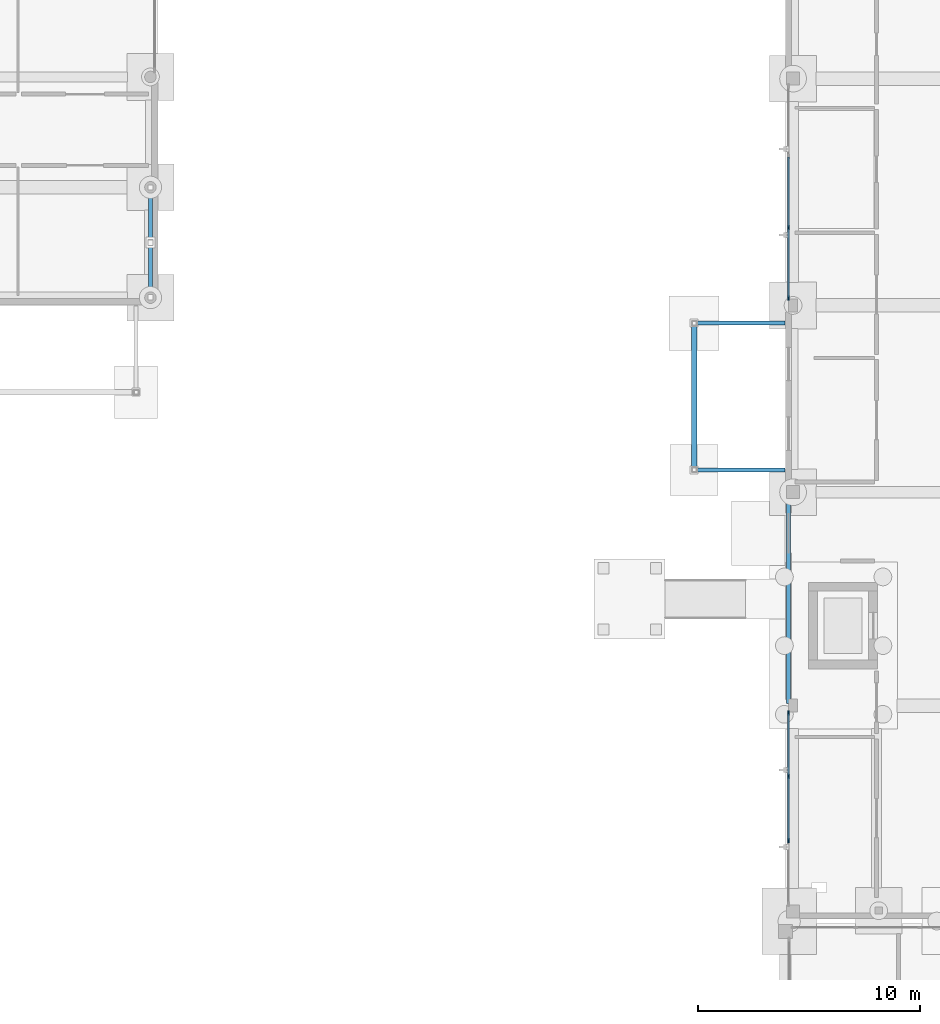
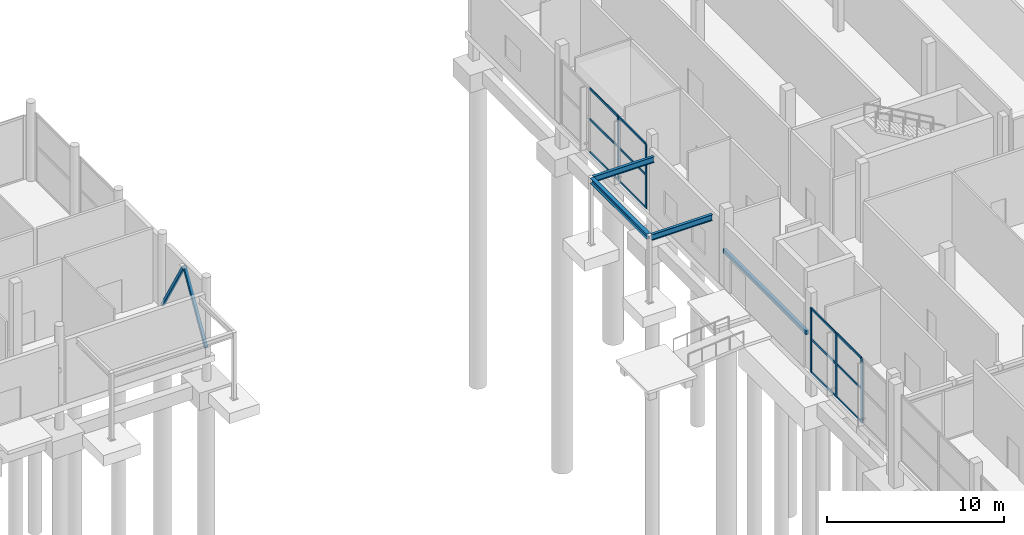
# One storey, part 37 of 88: 19 members, 4 beams, 2 elements without a shape of their own.
"""IFC4 building model written with IfcOpenShell, lengths in metres."""

from ifc_helpers import new_model, si_unit, direction, frame, origin, origin_2d, place, context, subcontext, project, spatial, rectangle, hollow_rectangle, i_section, extrude, material, layer, layer_set, material_profile, profile_set, type_object, element, aggregate, save


model = new_model("IFC4")

# Units and contexts
model_context = context("Model", 3, precision=1e-05, world=origin(), true_north=direction((0.0, 1.0)))
body_context = subcontext(model_context, "Body", "Model", "MODEL_VIEW")
ifc_project = project(units=[si_unit("LENGTHUNIT", "METRE"), si_unit("AREAUNIT", "SQUARE_METRE"), si_unit("VOLUMEUNIT", "CUBIC_METRE"), si_unit("PLANEANGLEUNIT", "RADIAN"), si_unit("MASSUNIT", "GRAM", prefix="KILO")], contexts=[model_context])

# Site, building, storey
site_placement = place(None, origin())
site = spatial("IfcSite", under=ifc_project, at=site_placement, CompositionType="ELEMENT")
building_placement = place(site_placement, origin())
building = spatial("IfcBuilding", under=site, at=building_placement, Name="Birchvale Park Specialist Clinic", CompositionType="ELEMENT")
storey_placement = place(building_placement, origin())
storey = spatial("IfcBuildingStorey", under=building, at=storey_placement, Name="L00", CompositionType="ELEMENT", Elevation=0.0)

# Curtain wall, members
ifc_material_1 = material(Name="Thermally broken anodised aluminium", Category="aluminium")
ifc_layer = layer(ifc_material_1, 0.2099609375)
ifc_layer_set = layer_set([ifc_layer], Name="Thermally broken anodised aluminium")
curtain_wall_type = type_object("IfcCurtainWallType", Name="CW-U3", PredefinedType="USERDEFINED", material=ifc_layer_set)
curtain_wall_1_placement = place(storey_placement, origin())
curtain_wall_1 = element("IfcCurtainWall", 1, at=curtain_wall_1_placement, inside=storey, type_object=curtain_wall_type, Name="V6 L00 glazed curtain wall 66", ObjectType="UNITISED", PredefinedType="USERDEFINED")
ifc_material_profile_1 = material_profile(ifc_material_1, rectangle(XDim=0.070068359375, YDim=0.199951171875, at=origin_2d()), Name="CWM-70x200")
ifc_profile_set_1 = profile_set([ifc_material_profile_1], Name="Thermally broken anodised aluminium")
member_type_1 = type_object("IfcMemberType", Name="CWM3", PredefinedType="MULLION", material=ifc_profile_set_1)
member_1_placement = place(storey_placement, frame((128.14501953125, 94.69677734375, 0.0), z_axis=(0.0, 0.0, 1.0), x_axis=(1.0, 0.0, 0.0)))
member_1 = element("IfcMember", 2, at=member_1_placement, type_object=member_type_1, Name="CW mullion 3", PredefinedType="MULLION", context=body_context, shape_type="SweptSolid", body=[
    extrude(rectangle(XDim=0.070068359375, YDim=0.199951171875, at=origin_2d()), origin(), (0.0, 0.0, 1.0), 4.445068359375),
])
member_2_placement = place(storey_placement, frame((128.14501953125, 91.52490234375, 0.0), z_axis=(0.0, 0.0, 1.0), x_axis=(1.0, 0.0, 0.0)))
member_2 = element("IfcMember", 3, at=member_2_placement, type_object=member_type_1, Name="CW mullion 4", PredefinedType="MULLION", context=body_context, shape_type="SweptSolid", body=[
    extrude(rectangle(XDim=0.070068359375, YDim=0.199951171875, at=origin_2d()), origin(), (0.0, 0.0, 1.0), 4.445068359375),
])

curtain_wall_2_placement = place(storey_placement, origin())
curtain_wall_2 = element("IfcCurtainWall", 4, at=curtain_wall_2_placement, inside=storey, type_object=curtain_wall_type, Name="V6 L00 glazed curtain wall 67", ObjectType="UNITISED", PredefinedType="USERDEFINED")
member_3_placement = place(storey_placement, frame((128.14501953125, 72.875, 0.0), z_axis=(0.0, 0.0, 1.0), x_axis=(1.0, 0.0, 0.0)))
member_3 = element("IfcMember", 5, at=member_3_placement, type_object=member_type_1, Name="CW mullion 1", PredefinedType="MULLION", context=body_context, shape_type="SweptSolid", body=[
    extrude(rectangle(XDim=0.070068359375, YDim=0.199951171875, at=origin_2d()), origin(), (0.0, 0.0, 1.0), 4.445068359375),
])
member_4_placement = place(storey_placement, frame((128.14501953125, 70.02001953125, 0.0), z_axis=(0.0, 0.0, 1.0), x_axis=(1.0, 0.0, 0.0)))
member_4 = element("IfcMember", 6, at=member_4_placement, type_object=member_type_1, Name="CW mullion 2", PredefinedType="MULLION", context=body_context, shape_type="SweptSolid", body=[
    extrude(rectangle(XDim=0.070068359375, YDim=0.199951171875, at=origin_2d()), origin(), (0.0, 0.0, 1.0), 4.445068359375),
])
member_5_placement = place(storey_placement, frame((128.14501953125, 67.1298828125, 0.0), z_axis=(0.0, 0.0, 1.0), x_axis=(1.0, 0.0, 0.0)))
member_5 = element("IfcMember", 7, at=member_5_placement, type_object=member_type_1, Name="CW mullion 3", PredefinedType="MULLION", context=body_context, shape_type="SweptSolid", body=[
    extrude(rectangle(XDim=0.070068359375, YDim=0.199951171875, at=origin_2d()), origin(), (0.0, 0.0, 1.0), 4.445068359375),
])

# Member
ifc_material_profile_2 = material_profile(ifc_material_1, rectangle(XDim=0.070068359375, YDim=0.14990234375, at=origin_2d()), Name="CWT-70x150")
ifc_profile_set_2 = profile_set([ifc_material_profile_2], Name="Thermally broken anodised aluminium")
member_type_2 = type_object("IfcMemberType", Name="CWT3", PredefinedType="USERDEFINED", material=ifc_profile_set_2)
member_6_placement = place(storey_placement, frame((128.14501953125, 97.868408203125, 0.034912109375), z_axis=(0.0, -1.0, 0.0), x_axis=(1.0, 0.0, 0.0)))
member_6 = element("IfcMember", 8, at=member_6_placement, type_object=member_type_2, Name="CW transom 2.1", ObjectType="TRANSOM", PredefinedType="USERDEFINED", context=body_context, shape_type="SweptSolid", body=[
    extrude(rectangle(XDim=0.070068359375, YDim=0.14990234375, at=origin_2d()), origin(), (0.0, 0.0, 1.0), 3.13671875),
])

member_7_placement = place(storey_placement, frame((128.14501953125, 97.868408203125, 2.311279296875), z_axis=(0.0, -1.0, 0.0), x_axis=(1.0, 0.0, 0.0)))
member_7 = element("IfcMember", 9, at=member_7_placement, type_object=member_type_2, Name="CW transom 2.2", ObjectType="TRANSOM", PredefinedType="USERDEFINED", context=body_context, shape_type="SweptSolid", body=[
    extrude(rectangle(XDim=0.070068359375, YDim=0.14990234375, at=origin_2d()), origin(), (0.0, 0.0, 1.0), 3.13671875),
])

member_8_placement = place(storey_placement, frame((128.14501953125, 97.868408203125, 4.409912109375), z_axis=(0.0, -1.0, 0.0), x_axis=(1.0, 0.0, 0.0)))
member_8 = element("IfcMember", 10, at=member_8_placement, type_object=member_type_2, Name="CW transom 2.3", ObjectType="TRANSOM", PredefinedType="USERDEFINED", context=body_context, shape_type="SweptSolid", body=[
    extrude(rectangle(XDim=0.070068359375, YDim=0.14990234375, at=origin_2d()), origin(), (0.0, 0.0, 1.0), 3.13671875),
])

member_9_placement = place(storey_placement, frame((128.14501953125, 94.66162109375, 0.034912109375), z_axis=(0.0, -1.0, 0.0), x_axis=(1.0, 0.0, 0.0)))
member_9 = element("IfcMember", 11, at=member_9_placement, type_object=member_type_2, Name="CW transom 3.1", ObjectType="TRANSOM", PredefinedType="USERDEFINED", context=body_context, shape_type="SweptSolid", body=[
    extrude(rectangle(XDim=0.070068359375, YDim=0.14990234375, at=origin_2d()), origin(), (0.0, 0.0, 1.0), 3.1015625),
])

member_10_placement = place(storey_placement, frame((128.14501953125, 94.66162109375, 2.311279296875), z_axis=(0.0, -1.0, 0.0), x_axis=(1.0, 0.0, 0.0)))
member_10 = element("IfcMember", 12, at=member_10_placement, type_object=member_type_2, Name="CW transom 3.2", ObjectType="TRANSOM", PredefinedType="USERDEFINED", context=body_context, shape_type="SweptSolid", body=[
    extrude(rectangle(XDim=0.070068359375, YDim=0.14990234375, at=origin_2d()), origin(), (0.0, 0.0, 1.0), 3.1015625),
])

member_11_placement = place(storey_placement, frame((128.14501953125, 94.66162109375, 4.409912109375), z_axis=(0.0, -1.0, 0.0), x_axis=(1.0, 0.0, 0.0)))
member_11 = element("IfcMember", 13, at=member_11_placement, type_object=member_type_2, Name="CW transom 3.3", ObjectType="TRANSOM", PredefinedType="USERDEFINED", context=body_context, shape_type="SweptSolid", body=[
    extrude(rectangle(XDim=0.070068359375, YDim=0.14990234375, at=origin_2d()), origin(), (0.0, 0.0, 1.0), 3.1015625),
])

aggregate(curtain_wall_1, [member_1, member_2, member_6, member_7, member_8, member_9, member_10, member_11])

member_12_placement = place(storey_placement, frame((128.14501953125, 72.840087890625, 0.034912109375), z_axis=(0.0, -1.0, 0.0), x_axis=(1.0, 0.0, 0.0)))
member_12 = element("IfcMember", 14, at=member_12_placement, type_object=member_type_2, Name="CW transom 1.1", ObjectType="TRANSOM", PredefinedType="USERDEFINED", context=body_context, shape_type="SweptSolid", body=[
    extrude(rectangle(XDim=0.070068359375, YDim=0.14990234375, at=origin_2d()), origin(), (0.0, 0.0, 1.0), 2.78515625),
])

member_13_placement = place(storey_placement, frame((128.14501953125, 72.840087890625, 2.311279296875), z_axis=(0.0, -1.0, 0.0), x_axis=(1.0, 0.0, 0.0)))
member_13 = element("IfcMember", 15, at=member_13_placement, type_object=member_type_2, Name="CW transom 1.2", ObjectType="TRANSOM", PredefinedType="USERDEFINED", context=body_context, shape_type="SweptSolid", body=[
    extrude(rectangle(XDim=0.070068359375, YDim=0.14990234375, at=origin_2d()), origin(), (0.0, 0.0, 1.0), 2.78515625),
])

member_14_placement = place(storey_placement, frame((128.14501953125, 72.840087890625, 4.409912109375), z_axis=(0.0, -1.0, 0.0), x_axis=(1.0, 0.0, 0.0)))
member_14 = element("IfcMember", 16, at=member_14_placement, type_object=member_type_2, Name="CW transom 1.3", ObjectType="TRANSOM", PredefinedType="USERDEFINED", context=body_context, shape_type="SweptSolid", body=[
    extrude(rectangle(XDim=0.070068359375, YDim=0.14990234375, at=origin_2d()), origin(), (0.0, 0.0, 1.0), 2.78515625),
])

member_15_placement = place(storey_placement, frame((128.14501953125, 69.985107421875, 0.034912109375), z_axis=(0.0, -1.0, 0.0), x_axis=(1.0, 0.0, 0.0)))
member_15 = element("IfcMember", 17, at=member_15_placement, type_object=member_type_2, Name="CW transom 2.1", ObjectType="TRANSOM", PredefinedType="USERDEFINED", context=body_context, shape_type="SweptSolid", body=[
    extrude(rectangle(XDim=0.070068359375, YDim=0.14990234375, at=origin_2d()), origin(), (0.0, 0.0, 1.0), 2.820068359375),
])

member_16_placement = place(storey_placement, frame((128.14501953125, 69.985107421875, 2.311279296875), z_axis=(0.0, -1.0, 0.0), x_axis=(1.0, 0.0, 0.0)))
member_16 = element("IfcMember", 18, at=member_16_placement, type_object=member_type_2, Name="CW transom 2.2", ObjectType="TRANSOM", PredefinedType="USERDEFINED", context=body_context, shape_type="SweptSolid", body=[
    extrude(rectangle(XDim=0.070068359375, YDim=0.14990234375, at=origin_2d()), origin(), (0.0, 0.0, 1.0), 2.820068359375),
])

member_17_placement = place(storey_placement, frame((128.14501953125, 69.985107421875, 4.409912109375), z_axis=(0.0, -1.0, 0.0), x_axis=(1.0, 0.0, 0.0)))
member_17 = element("IfcMember", 19, at=member_17_placement, type_object=member_type_2, Name="CW transom 2.3", ObjectType="TRANSOM", PredefinedType="USERDEFINED", context=body_context, shape_type="SweptSolid", body=[
    extrude(rectangle(XDim=0.070068359375, YDim=0.14990234375, at=origin_2d()), origin(), (0.0, 0.0, 1.0), 2.820068359375),
])

aggregate(curtain_wall_2, [member_3, member_4, member_5, member_12, member_13, member_14, member_15, member_16, member_17])

# Beam
ifc_material_2 = material(Name="Concrete C40/50", Category="concrete")
ifc_material_profile_3 = material_profile(ifc_material_2, rectangle(XDim=0.199951171875, YDim=0.260009765625, at=origin_2d()), Name="LNT-200x260")
ifc_profile_set_3 = profile_set([ifc_material_profile_3], Name="Concrete C40/50")
beam_type_1 = type_object("IfcBeamType", Name="LNT-EXT-LN3", PredefinedType="LINTEL", material=ifc_profile_set_3)
beam_1_placement = place(storey_placement, frame((128.14501953125, 82.695068359375, 2.469970703125), z_axis=(0.0, -1.0, 0.0), x_axis=(1.0, 0.0, 0.0)))
element("IfcBeam", 20, at=beam_1_placement, inside=storey, type_object=beam_type_1, Name="V6 L00 exit opening lintel 25", PredefinedType="LINTEL", context=body_context, shape_type="SweptSolid", body=[
    extrude(rectangle(XDim=0.199951171875, YDim=0.260009765625, at=origin_2d()), origin(), (0.0, 0.0, 1.0), 9.39013671875),
])

# Members
ifc_material_3 = material(Name="Steel ASTM A500 Grade C", Category="steel")
ifc_material_profile_4 = material_profile(ifc_material_3, hollow_rectangle(XDim=0.179931640625, YDim=0.179931640625, WallThickness=0.010009765625, at=origin_2d()), Name="HSS180X180X10")
ifc_profile_set_4 = profile_set([ifc_material_profile_4], Name="Steel ASTM A500 Grade C")
member_type_3 = type_object("IfcMemberType", Name="MEM-BR6", PredefinedType="BRACE", material=ifc_profile_set_4)
member_18_placement = place(storey_placement, frame((99.449951171875, 91.565185546875, 0.375732421875), z_axis=(0.0, 0.509537997236, 0.860448156121), x_axis=(-1.0, 0.0, 0.0)))
element("IfcMember", 21, at=member_18_placement, inside=storey, type_object=member_type_3, Name="V3 L00 chevron steel brace 6.1", PredefinedType="BRACE", context=body_context, shape_type="SweptSolid", body=[
    extrude(hollow_rectangle(XDim=0.179931640625, YDim=0.179931640625, WallThickness=0.010009765625, at=origin_2d()), origin(), (0.0, 0.0, 1.0), 4.8095703125),
])
member_19_placement = place(storey_placement, frame((99.449951171875, 96.497314453125, 0.375732421875), z_axis=(0.0, -0.509575577684, 0.860425900719), x_axis=(1.0, 0.0, 0.0)))
element("IfcMember", 22, at=member_19_placement, inside=storey, type_object=member_type_3, Name="V3 L00 chevron steel brace 6.2", PredefinedType="BRACE", context=body_context, shape_type="SweptSolid", body=[
    extrude(hollow_rectangle(XDim=0.179931640625, YDim=0.179931640625, WallThickness=0.010009765625, at=origin_2d()), origin(), (0.0, 0.0, 1.0), 4.809814453125),
])

# Beams
ifc_material_4 = material(Name="Steel ASTM A992 Grade 50", Category="steel")
ifc_material_profile_5 = material_profile(ifc_material_4, i_section(OverallWidth=0.178955078125, OverallDepth=0.409912109375, WebThickness=0.0087890625, FlangeThickness=0.014404296875, at=origin_2d()), Name="W16X45")
ifc_profile_set_5 = profile_set([ifc_material_profile_5], Name="Steel ASTM A992 Grade 50")
beam_type_2 = type_object("IfcBeamType", Name="STL-EXT-SB5", PredefinedType="BEAM", material=ifc_profile_set_5)
for number, where, z_axis, x_axis, name in (
    (23, (124.0, 83.800048828125, 4.14501953125), (1.0, 0.0, 0.0), (0.0, 1.0, 0.0), "L00 canopy tie beam 4.1"),
    (24, (124.0, 90.39990234375, 4.14501953125), (1.0, 0.0, 0.0), (0.0, 1.0, 0.0), "L00 canopy tie beam 4.2"),
):
    element("IfcBeam", number, at=place(storey_placement, frame(where, z_axis=z_axis, x_axis=x_axis)), inside=storey, type_object=beam_type_2, Name=name, PredefinedType="BEAM", context=body_context, shape_type="SweptSolid", body=[
        extrude(i_section(OverallWidth=0.178955078125, OverallDepth=0.409912109375, WebThickness=0.0087890625, FlangeThickness=0.014404296875, at=origin_2d()), origin(), (0.0, 0.0, 1.0), 3.97998046875),
    ])
ifc_material_profile_6 = material_profile(ifc_material_4, i_section(OverallWidth=0.25390625, OverallDepth=0.35595703125, WebThickness=0.010498046875, FlangeThickness=0.018310546875, at=origin_2d()), Name="W14X68")
ifc_profile_set_6 = profile_set([ifc_material_profile_6], Name="Steel ASTM A992 Grade 50")
beam_type_3 = type_object("IfcBeamType", Name="STL-EXT-SB6", PredefinedType="BEAM", material=ifc_profile_set_6)
beam_2_placement = place(storey_placement, frame((123.89990234375, 83.89990234375, 4.172119140625), z_axis=(0.0, 1.0, 0.0), x_axis=(-1.0, 0.0, 0.0)))
element("IfcBeam", 25, at=beam_2_placement, inside=storey, type_object=beam_type_3, Name="L00 canopy front beam 4", PredefinedType="BEAM", context=body_context, shape_type="SweptSolid", body=[
    extrude(i_section(OverallWidth=0.25390625, OverallDepth=0.35595703125, WebThickness=0.010498046875, FlangeThickness=0.018310546875, at=origin_2d()), origin(), (0.0, 0.0, 1.0), 6.400146484375),
])

save(model, "model.ifc")
